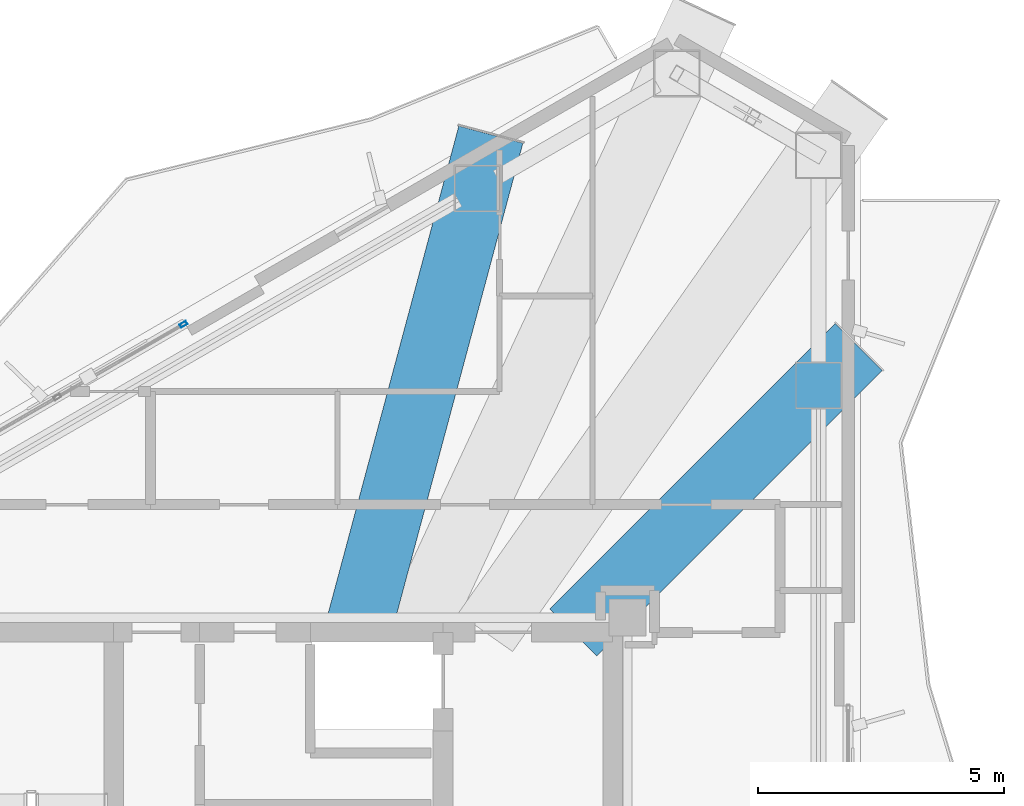
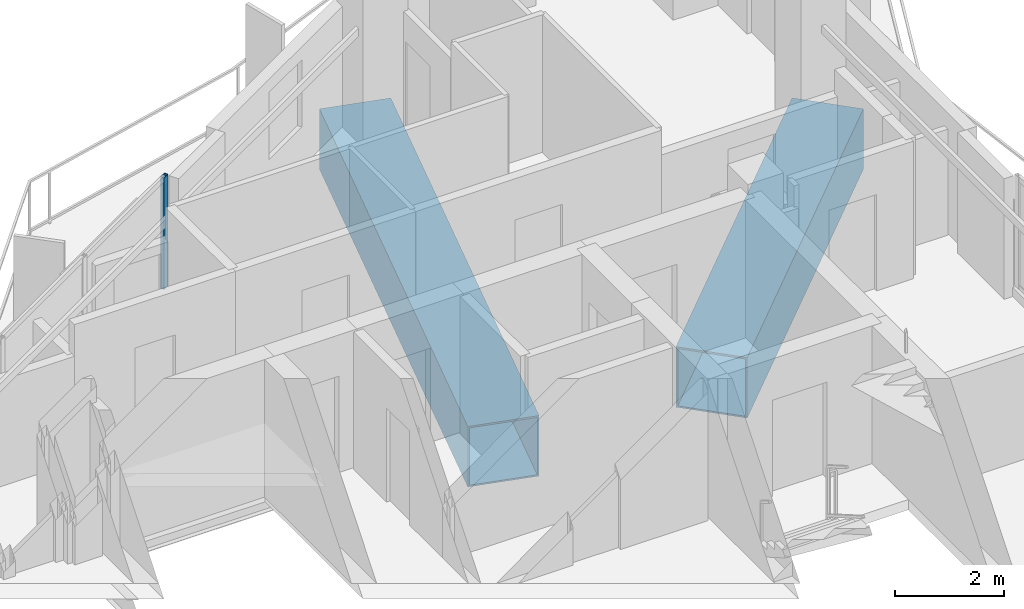
# One storey, part 10 of 19: 2 beams, 1 member, 1 element without a shape of its own.
"""IFC4 building model written with IfcOpenShell, lengths in metres."""

from ifc_helpers import new_model, si_unit, direction, frame, origin, origin_2d, place, context, subcontext, project, spatial, hollow_rectangle, extrude, material, layer, layer_set, material_profile, profile_set, type_object, element, aggregate, save


model = new_model("IFC4")

# Units and contexts
model_context = context("Model", 3, precision=1e-05, world=origin(), true_north=direction((0.0, 1.0)))
body_context = subcontext(model_context, "Body", "Model", "MODEL_VIEW")
ifc_project = project(units=[si_unit("LENGTHUNIT", "METRE"), si_unit("AREAUNIT", "SQUARE_METRE"), si_unit("VOLUMEUNIT", "CUBIC_METRE"), si_unit("PLANEANGLEUNIT", "RADIAN"), si_unit("MASSUNIT", "GRAM", prefix="KILO")], contexts=[model_context])

# Site, building, storey
site_placement = place(None, origin())
site = spatial("IfcSite", under=ifc_project, at=site_placement, CompositionType="ELEMENT")
building_placement = place(site_placement, origin())
building = spatial("IfcBuilding", under=site, at=building_placement, Name="Mersakhor Tower and Convention Hall", CompositionType="ELEMENT")
storey_placement = place(building_placement, frame((0.0, 0.0, 175.5)))
storey = spatial("IfcBuildingStorey", under=building, at=storey_placement, Name="L48", CompositionType="ELEMENT", Elevation=175.5)

# Beams
ifc_material_1 = material(Name="Steel S460", Category="steel")
ifc_material_profile_1 = material_profile(ifc_material_1, hollow_rectangle(XDim=1.35009765625, YDim=1.35009765625, WallThickness=0.035888671875, at=origin_2d()), Name="SHS 1350x1350x36")
ifc_profile_set_1 = profile_set([ifc_material_profile_1], Name="Steel S460")
beam_type = type_object("IfcBeamType", Name="BM-TR-BOX1350", PredefinedType="BEAM", material=ifc_profile_set_1)
beam_1_placement = place(storey_placement, frame((33.322265625, 42.875244140625, -0.905029296875), z_axis=(-0.258913419216, -0.96590053388, 0.0), x_axis=(0.96590053388, -0.258913419216, 0.0)))
element("IfcBeam", 1, at=beam_1_placement, inside=storey, type_object=beam_type, Name="L48 Taper Step Transfer Girder STG-03", PredefinedType="BEAM", context=body_context, shape_type="SweptSolid", body=[
    extrude(hollow_rectangle(XDim=1.35009765625, YDim=1.35009765625, WallThickness=0.035888671875, at=origin_2d()), origin(), (0.0, 0.0, 1.0), 10.482666015625),
])
beam_2_placement = place(storey_placement, frame((40.8037109375, 38.5556640625, -0.905029296875), z_axis=(-0.70704730297, -0.707166254401, 0.0), x_axis=(0.707166254401, -0.70704730297, 0.0)))
element("IfcBeam", 2, at=beam_2_placement, inside=storey, type_object=beam_type, Name="L48 Taper Step Transfer Girder STG-06", PredefinedType="BEAM", context=body_context, shape_type="SweptSolid", body=[
    extrude(hollow_rectangle(XDim=1.35009765625, YDim=1.35009765625, WallThickness=0.035888671875, at=origin_2d()), origin(), (0.0, 0.0, 1.0), 8.209716796875),
])

# Curtain wall, member
ifc_material_2 = material(Name="Dark solar low-E aluminium curtain wall", Category="aluminium")
ifc_layer = layer(ifc_material_2, 0.169921875)
ifc_layer_set = layer_set([ifc_layer], Name="Dark solar low-E aluminium curtain wall")
curtain_wall_type = type_object("IfcCurtainWallType", Name="CW-SYS-02", PredefinedType="USERDEFINED", material=ifc_layer_set)
curtain_wall_placement = place(storey_placement, origin())
curtain_wall = element("IfcCurtainWall", 3, at=curtain_wall_placement, inside=storey, type_object=curtain_wall_type, Name="L48 Dark-Glass Curtain Wall F1-B2", ObjectType="CURTAIN WALL", PredefinedType="USERDEFINED")
ifc_material_3 = material(Name="Anodised aluminium EN AW-6063 T6", Category="aluminium")
ifc_material_profile_2 = material_profile(ifc_material_3, hollow_rectangle(XDim=0.074951171875, YDim=0.14990234375, WallThickness=0.00634765625, at=origin_2d()), Name="RHS 150x75x6.3")
ifc_profile_set_2 = profile_set([ifc_material_profile_2], Name="Anodised aluminium EN AW-6063 T6")
member_type = type_object("IfcMemberType", Name="CWM-150x75", PredefinedType="MULLION", material=ifc_profile_set_2)
member_placement = place(storey_placement, frame((27.06982421875, 39.016845703125, 0.199951171875), z_axis=(0.0, 0.0, 1.0), x_axis=(-0.500007824483, 0.86602088627, 0.0)))
member = element("IfcMember", 4, at=member_placement, type_object=member_type, Name="CW-02 mullion 4", PredefinedType="MULLION", context=body_context, shape_type="SweptSolid", body=[
    extrude(hollow_rectangle(XDim=0.074951171875, YDim=0.14990234375, WallThickness=0.00634765625, at=origin_2d()), origin(), (0.0, 0.0, 1.0), 2.489990234375),
])
aggregate(curtain_wall, [member])

save(model, "model.ifc")
